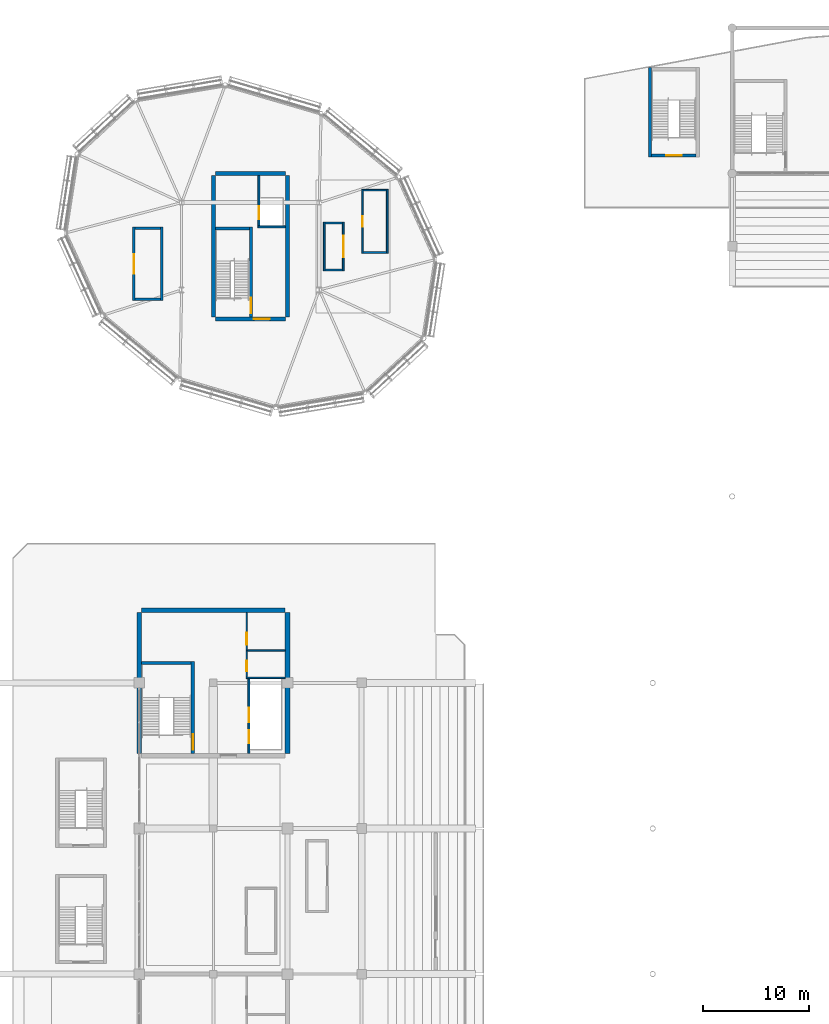
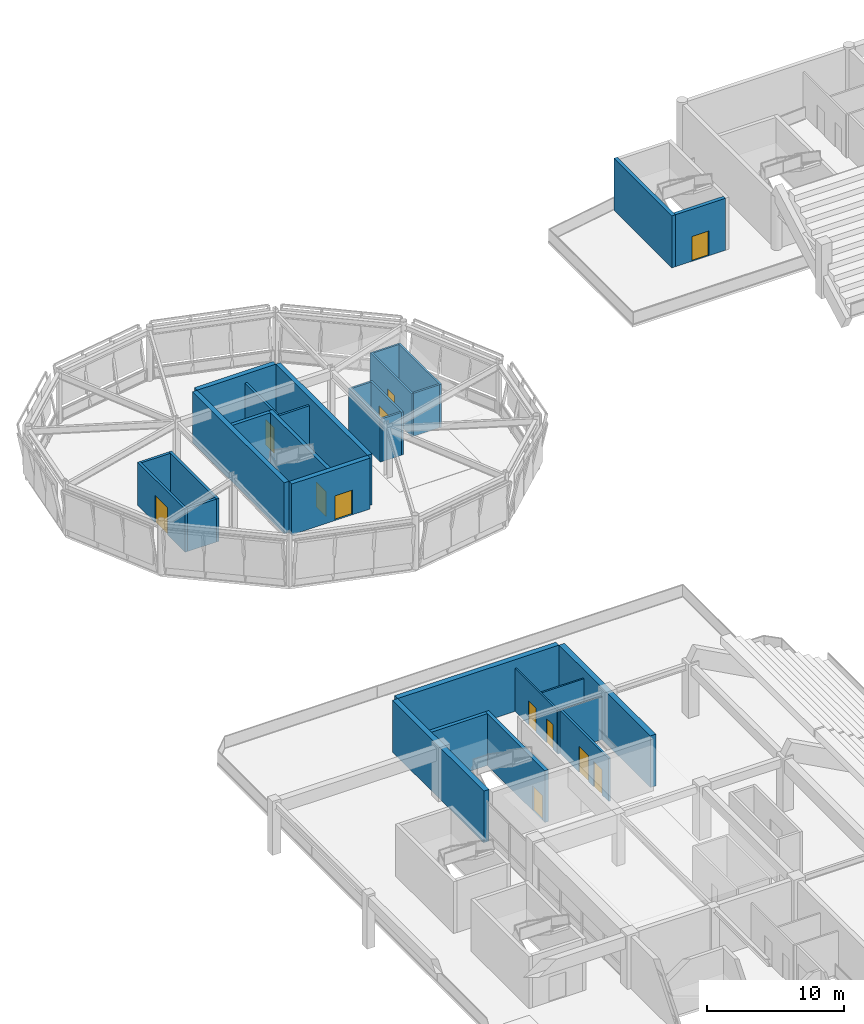
# One storey, part 75 of 94: 31 walls, 12 doors, 12 openings.
"""IFC4 building model written with IfcOpenShell, lengths in metres."""

from ifc_helpers import new_model, si_unit, direction, frame, frame_2d, origin, place, context, subcontext, project, spatial, rectangle, extrude, material, layer, layer_set, type_object, element, fill, save


model = new_model("IFC4")

# Units and contexts
model_context = context("Model", 3, precision=1e-05, world=origin(), true_north=direction((0.0, 1.0)))
body_context = subcontext(model_context, "Body", "Model", "MODEL_VIEW")
ifc_project = project(units=[si_unit("LENGTHUNIT", "METRE"), si_unit("AREAUNIT", "SQUARE_METRE"), si_unit("VOLUMEUNIT", "CUBIC_METRE"), si_unit("PLANEANGLEUNIT", "RADIAN"), si_unit("MASSUNIT", "GRAM", prefix="KILO")], contexts=[model_context])

# Site, building, storey
site_placement = place(None, origin())
site = spatial("IfcSite", under=ifc_project, at=site_placement, CompositionType="ELEMENT")
building_placement = place(site_placement, origin())
building = spatial("IfcBuilding", under=site, at=building_placement, Name="Linyun Crest Stadium", CompositionType="ELEMENT")
storey_placement = place(building_placement, frame((0.0, 0.0, 16.199951171875)))
storey = spatial("IfcBuildingStorey", under=building, at=storey_placement, Name="L04", CompositionType="ELEMENT", Elevation=16.199951171875)

# Walls
ifc_material_1 = material(Name="Concrete C50", Category="concrete")
ifc_layer_1 = layer(ifc_material_1, 0.39990234375)
ifc_layer_set_1 = layer_set([ifc_layer_1], Name="Concrete C50")
wall_type_1 = type_object("IfcWallType", Name="CW02", PredefinedType="SHEAR", material=ifc_layer_set_1)
for number, where, z_axis, x_axis, name in (
    (1, (-77.0, 77.949951171875, 0.0), (0.0, 0.0, 1.0), (0.0, 1.0, 0.0), "Core shear wall CW02 CORE-PNW L04.1"),
    (2, (-70.0, 77.949951171875, 0.0), (0.0, 0.0, 1.0), (0.0, 1.0, 0.0), "Core shear wall CW02 CORE-PNW L04.2"),
):
    element("IfcWall", number, at=place(storey_placement, frame(where, z_axis=z_axis, x_axis=x_axis)), inside=storey, type_object=wall_type_1, Name=name, PredefinedType="SHEAR", context=body_context, shape_type="SweptSolid", body=[
        extrude(rectangle(XDim=13.35009765625, YDim=0.39990234375, at=frame_2d((6.675048828125, 0.0))), origin(), (0.0, 0.0, 1.0), 4.52001953125),
    ])

# Wall, opening, door
wall_1_placement = place(storey_placement, frame((-76.800048828125, 77.75, 0.0), z_axis=(0.0, 0.0, 1.0), x_axis=(1.0, 0.0, 0.0)))
wall_1 = element("IfcWall", 3, at=wall_1_placement, inside=storey, type_object=wall_type_1, Name="Core shear wall CW02 CORE-PNW L04.3", PredefinedType="SHEAR", context=body_context, shape_type="SweptSolid", body=[
    extrude(rectangle(XDim=6.60009765625, YDim=0.39990234375, at=frame_2d((3.300048828125, 0.0))), origin(), (0.0, 0.0, 1.0), 4.52001953125),
])
opening_1_placement = place(wall_1_placement, frame((3.6298828125, 0.0, 0.0)))
opening_1 = element("IfcOpeningElement", 4, at=opening_1_placement, cuts=wall_1, Name="Opening D-L04-378", PredefinedType="OPENING", context=body_context, shape_type="SweptSolid", body=[
    extrude(rectangle(XDim=1.5, YDim=2.199951171875, at=frame_2d((0.75, 1.10009765625))), frame((0.0, 0.2099609375, 0.0), z_axis=(0.0, -1.0, 0.0), x_axis=(1.0, 0.0, 0.0)), (0.0, 0.0, 1.0), 0.419921875),
])
ifc_material_2 = material(Name="Galvanized steel Class A fire door", Category="steel")
ifc_layer_2 = layer(ifc_material_2, 0.054931640625)
ifc_layer_set_2 = layer_set([ifc_layer_2], Name="Galvanized steel Class A fire door")
door_type_1 = type_object("IfcDoorType", Name="FD01", OperationType="NOTDEFINED", PredefinedType="DOOR", material=ifc_layer_set_2)
door_1_placement = place(opening_1_placement, origin())
door_1 = element("IfcDoor", 5, at=door_1_placement, inside=storey, type_object=door_type_1, Name="Door D-L04-378", OperationType="SINGLE_SWING_RIGHT", OverallHeight=2.199951171875, OverallWidth=1.5, PredefinedType="DOOR", context=body_context, shape_type="SweptSolid", body=[
    extrude(rectangle(XDim=1.5, YDim=2.199951171875, at=frame_2d((0.75, 1.10009765625))), frame((0.0, 0.02490234375, 0.0), z_axis=(0.0, -1.0, 0.0), x_axis=(1.0, 0.0, 0.0)), (0.0, 0.0, 1.0), 0.050048828125),
])
fill(opening_1, door_1)

# Walls
wall_2_placement = place(storey_placement, frame((-76.800048828125, 91.5, 0.0), z_axis=(0.0, 0.0, 1.0), x_axis=(1.0, 0.0, 0.0)))
element("IfcWall", 6, at=wall_2_placement, inside=storey, type_object=wall_type_1, Name="Core shear wall CW02 CORE-PNW L04.4", PredefinedType="SHEAR", context=body_context, shape_type="SweptSolid", body=[
    extrude(rectangle(XDim=6.60009765625, YDim=0.39990234375, at=frame_2d((3.300048828125, 0.0))), origin(), (0.0, 0.0, 1.0), 4.52001953125),
])
ifc_material_3 = material(Name="Concrete C50", Category="concrete")
ifc_layer_3 = layer(ifc_material_3, 0.449951171875)
ifc_layer_set_3 = layer_set([ifc_layer_3], Name="Concrete C50")
wall_type_2 = type_object("IfcWallType", Name="CW03", PredefinedType="SHEAR", material=ifc_layer_set_3)
for number, where, z_axis, x_axis, name in (
    (7, (-84.0, 36.72509765625, 0.0), (0.0, 0.0, 1.0), (0.0, 1.0, 0.0), "Core shear wall CW03 CORE-W3 L04.1"),
    (8, (-70.0, 36.72509765625, 0.0), (0.0, 0.0, 1.0), (0.0, 1.0, 0.0), "Core shear wall CW03 CORE-W3 L04.2"),
):
    element("IfcWall", number, at=place(storey_placement, frame(where, z_axis=z_axis, x_axis=x_axis)), inside=storey, type_object=wall_type_2, Name=name, PredefinedType="SHEAR", context=body_context, shape_type="SweptSolid", body=[
        extrude(rectangle(XDim=13.2998046875, YDim=0.449951171875, at=frame_2d((6.64990234375, 0.0))), origin(), (0.0, 0.0, 1.0), 4.60009765625),
    ])
wall_3_placement = place(storey_placement, frame((-83.77490234375, 50.25, 0.0), z_axis=(0.0, 0.0, 1.0), x_axis=(1.0, 0.0, 0.0)))
element("IfcWall", 9, at=wall_3_placement, inside=storey, type_object=wall_type_2, Name="Core shear wall CW03 CORE-W3 L04.4", PredefinedType="SHEAR", context=body_context, shape_type="SweptSolid", body=[
    extrude(rectangle(XDim=13.5498046875, YDim=0.449951171875, at=frame_2d((6.77490234375, 0.0))), origin(), (0.0, 0.0, 1.0), 4.60009765625),
])

# Wall, openings, doors
ifc_material_4 = material(Name="Autoclaved aerated concrete block fire partition", Category="concrete")
ifc_layer_4 = layer(ifc_material_4, 0.179931640625)
ifc_layer_set_4 = layer_set([ifc_layer_4], Name="Autoclaved aerated concrete block fire partition")
wall_type_3 = type_object("IfcWallType", Name="PW12", PredefinedType="PARTITIONING", material=ifc_layer_set_4)
wall_4_placement = place(storey_placement, frame((-73.64990234375, 36.72509765625, 0.0), z_axis=(0.0, 0.0, 1.0), x_axis=(0.0, 1.0, 0.0)))
wall_4 = element("IfcWall", 10, at=wall_4_placement, inside=storey, type_object=wall_type_3, Name="Partition PW12 L04 51", PredefinedType="PARTITIONING", context=body_context, shape_type="SweptSolid", body=[
    extrude(rectangle(XDim=7.054931640625, YDim=0.179931640625, at=frame_2d((3.52734375, 0.0))), origin(), (0.0, 0.0, 1.0), 3.820068359375),
])
opening_2_placement = place(wall_4_placement, frame((0.97509765625, 0.0, 0.0)))
opening_2 = element("IfcOpeningElement", 11, at=opening_2_placement, cuts=wall_4, Name="Opening LD044", PredefinedType="OPENING", context=body_context, shape_type="SweptSolid", body=[
    extrude(rectangle(XDim=1.199951171875, YDim=2.25, at=frame_2d((0.60009765625, 1.125))), frame((0.0, 0.099853515625, 0.0), z_axis=(0.0, -1.0, 0.0), x_axis=(1.0, 0.0, 0.0)), (0.0, 0.0, 1.0), 0.199951171875),
])
opening_3_placement = place(wall_4_placement, frame((2.925048828125, 0.0, 0.0)))
opening_3 = element("IfcOpeningElement", 12, at=opening_3_placement, cuts=wall_4, Name="Opening LD045", PredefinedType="OPENING", context=body_context, shape_type="SweptSolid", body=[
    extrude(rectangle(XDim=1.39990234375, YDim=2.300048828125, at=frame_2d((0.699951171875, 1.14990234375))), frame((0.0, 0.099853515625, 0.0), z_axis=(0.0, -1.0, 0.0), x_axis=(1.0, 0.0, 0.0)), (0.0, 0.0, 1.0), 0.199951171875),
])
ifc_material_5 = material(Name="Brushed stainless sliding lift door")
ifc_layer_5 = layer(ifc_material_5, 0.050048828125)
ifc_layer_set_5 = layer_set([ifc_layer_5], Name="Brushed stainless sliding lift door")
door_type_2 = type_object("IfcDoorType", Name="LD02", OperationType="NOTDEFINED", PredefinedType="DOOR", material=ifc_layer_set_5)
door_2_placement = place(opening_2_placement, origin())
door_2 = element("IfcDoor", 13, at=door_2_placement, inside=storey, type_object=door_type_2, Name="Lift landing door LD044", OperationType="DOUBLE_DOOR_SLIDING", OverallHeight=2.25, OverallWidth=1.199951171875, PredefinedType="DOOR", context=body_context, shape_type="SweptSolid", body=[
    extrude(rectangle(XDim=1.199951171875, YDim=2.25, at=frame_2d((0.60009765625, 1.125))), frame((0.0, 0.02490234375, 0.0), z_axis=(0.0, -1.0, 0.0), x_axis=(1.0, 0.0, 0.0)), (0.0, 0.0, 1.0), 0.050048828125),
])
fill(opening_2, door_2)
ifc_material_6 = material(Name="Heavy-duty stainless sliding door")
ifc_layer_6 = layer(ifc_material_6, 0.054931640625)
ifc_layer_set_6 = layer_set([ifc_layer_6], Name="Heavy-duty stainless sliding door")
door_type_3 = type_object("IfcDoorType", Name="LD03", OperationType="NOTDEFINED", PredefinedType="DOOR", material=ifc_layer_set_6)
door_3_placement = place(opening_3_placement, origin())
door_3 = element("IfcDoor", 14, at=door_3_placement, inside=storey, type_object=door_type_3, Name="Lift landing door LD045", OperationType="DOUBLE_DOOR_SLIDING", OverallHeight=2.300048828125, OverallWidth=1.39990234375, PredefinedType="DOOR", context=body_context, shape_type="SweptSolid", body=[
    extrude(rectangle(XDim=1.39990234375, YDim=2.300048828125, at=frame_2d((0.699951171875, 1.14990234375))), frame((0.0, 0.02490234375, 0.0), z_axis=(0.0, -1.0, 0.0), x_axis=(1.0, 0.0, 0.0)), (0.0, 0.0, 1.0), 0.050048828125),
])
fill(opening_3, door_3)

# Wall, opening, door
wall_5_placement = place(storey_placement, frame((-72.699951171875, 86.550048828125, 0.0), z_axis=(0.0, 0.0, 1.0), x_axis=(0.0, 1.0, 0.0)))
wall_5 = element("IfcWall", 15, at=wall_5_placement, inside=storey, type_object=wall_type_3, Name="Partition PW12 L04 135", PredefinedType="PARTITIONING", context=body_context, shape_type="SweptSolid", body=[
    extrude(rectangle(XDim=4.75, YDim=0.179931640625, at=frame_2d((2.375, 0.0))), origin(), (0.0, 0.0, 1.0), 3.7451171875),
])
opening_4_placement = place(wall_5_placement, frame((0.64990234375, 0.0, 0.0)))
opening_4 = element("IfcOpeningElement", 16, at=opening_4_placement, cuts=wall_5, Name="Opening LD111", PredefinedType="OPENING", context=body_context, shape_type="SweptSolid", body=[
    extrude(rectangle(XDim=1.199951171875, YDim=2.25, at=frame_2d((0.60009765625, 1.125))), frame((0.0, 0.099853515625, 0.0), z_axis=(0.0, -1.0, 0.0), x_axis=(1.0, 0.0, 0.0)), (0.0, 0.0, 1.0), 0.199951171875),
])
door_4_placement = place(opening_4_placement, origin())
door_4 = element("IfcDoor", 17, at=door_4_placement, inside=storey, type_object=door_type_2, Name="Lift landing door LD111", OperationType="DOUBLE_DOOR_SLIDING", OverallHeight=2.25, OverallWidth=1.199951171875, PredefinedType="DOOR", context=body_context, shape_type="SweptSolid", body=[
    extrude(rectangle(XDim=1.199951171875, YDim=2.25, at=frame_2d((0.60009765625, 1.125))), frame((0.0, 0.02490234375, 0.0), z_axis=(0.0, -1.0, 0.0), x_axis=(1.0, 0.0, 0.0)), (0.0, 0.0, 1.0), 0.050048828125),
])
fill(opening_4, door_4)

# Wall
wall_6_placement = place(storey_placement, frame((-72.7900390625, 86.4599609375, 0.0), z_axis=(0.0, 0.0, 1.0), x_axis=(1.0, 0.0, 0.0)))
element("IfcWall", 18, at=wall_6_placement, inside=storey, type_object=wall_type_3, Name="Enclosure partition PW12 L04 127", PredefinedType="PARTITIONING", context=body_context, shape_type="SweptSolid", body=[
    extrude(rectangle(XDim=2.590087890625, YDim=0.179931640625, at=frame_2d((1.294921875, 0.0))), origin(), (0.0, 0.0, 1.0), 3.820068359375),
])

# Wall, opening, door
ifc_material_7 = material(Name="Double steel-stud acoustic fire partition", Category="steel")
ifc_layer_7 = layer(ifc_material_7, 0.1650390625)
ifc_layer_set_7 = layer_set([ifc_layer_7], Name="Double steel-stud acoustic fire partition")
wall_type_4 = type_object("IfcWallType", Name="PW13", PredefinedType="PARTITIONING", material=ifc_layer_set_7)
wall_7_placement = place(storey_placement, frame((-64.73291015625, 86.89990234375, 0.0), z_axis=(0.0, 0.0, 1.0), x_axis=(0.0, -1.0, 0.0)))
wall_7 = element("IfcWall", 19, at=wall_7_placement, inside=storey, type_object=wall_type_4, Name="Partition PW13 L04 225", PredefinedType="PARTITIONING", context=body_context, shape_type="SweptSolid", body=[
    extrude(rectangle(XDim=4.599853515625, YDim=0.1650390625, at=frame_2d((2.2998046875, 0.0))), origin(), (0.0, 0.0, 1.0), 3.820068359375),
])
opening_5_placement = place(wall_7_placement, frame((1.27490234375, 0.0, 0.0)))
opening_5 = element("IfcOpeningElement", 20, at=opening_5_placement, cuts=wall_7, Name="Opening D-L04-488", PredefinedType="OPENING", context=body_context, shape_type="SweptSolid", body=[
    extrude(rectangle(XDim=2.050048828125, YDim=2.39990234375, at=frame_2d((1.02490234375, 1.199951171875))), frame((0.0, 0.092529296875, 0.0), z_axis=(0.0, -1.0, 0.0), x_axis=(1.0, 0.0, 0.0)), (0.0, 0.0, 1.0), 0.18505859375),
])
ifc_material_8 = material(Name="Double-leaf glazed aluminium door", Category="aluminium")
ifc_layer_8 = layer(ifc_material_8, 0.054931640625)
ifc_layer_set_8 = layer_set([ifc_layer_8], Name="Double-leaf glazed aluminium door")
door_type_4 = type_object("IfcDoorType", Name="ID07", OperationType="NOTDEFINED", PredefinedType="DOOR", material=ifc_layer_set_8)
door_5_placement = place(opening_5_placement, origin())
door_5 = element("IfcDoor", 21, at=door_5_placement, inside=storey, type_object=door_type_4, Name="Door D-L04-488", OperationType="DOUBLE_DOOR_SINGLE_SWING", OverallHeight=2.39990234375, OverallWidth=2.050048828125, PredefinedType="DOOR", context=body_context, shape_type="SweptSolid", body=[
    extrude(rectangle(XDim=2.050048828125, YDim=2.39990234375, at=frame_2d((1.02490234375, 1.199951171875))), frame((0.0, 0.02490234375, 0.0), z_axis=(0.0, -1.0, 0.0), x_axis=(1.0, 0.0, 0.0)), (0.0, 0.0, 1.0), 0.050048828125),
])
fill(opening_5, door_5)

# Walls
wall_8_placement = place(storey_placement, frame((-66.532958984375, 82.300048828125, 0.0), z_axis=(0.0, 0.0, 1.0), x_axis=(0.0, 1.0, 0.0)))
element("IfcWall", 22, at=wall_8_placement, inside=storey, type_object=wall_type_4, Name="Enclosure partition PW13 L04 391", PredefinedType="PARTITIONING", context=body_context, shape_type="SweptSolid", body=[
    extrude(rectangle(XDim=4.599853515625, YDim=0.1650390625, at=frame_2d((2.2998046875, 0.0))), origin(), (0.0, 0.0, 1.0), 3.820068359375),
])
for number, where, z_axis, x_axis, name in (
    (23, (-66.449951171875, 82.383056640625, 0.0), (0.0, 0.0, 1.0), (1.0, 0.0, 0.0), "Enclosure partition PW13 L04 392"),
    (24, (-66.449951171875, 86.81689453125, 0.0), (0.0, 0.0, 1.0), (1.0, 0.0, 0.0), "Enclosure partition PW13 L04 393"),
):
    element("IfcWall", number, at=place(storey_placement, frame(where, z_axis=z_axis, x_axis=x_axis)), inside=storey, type_object=wall_type_4, Name=name, PredefinedType="PARTITIONING", context=body_context, shape_type="SweptSolid", body=[
        extrude(rectangle(XDim=1.634033203125, YDim=0.1650390625, at=frame_2d((0.81689453125, 0.0))), origin(), (0.0, 0.0, 1.0), 3.820068359375),
    ])

# Wall, openings, doors
ifc_material_9 = material(Name="Moisture-resistant ceramic-tiled wet-room wall")
ifc_layer_9 = layer(ifc_material_9, 0.139892578125)
ifc_layer_set_9 = layer_set([ifc_layer_9], Name="Moisture-resistant ceramic-tiled wet-room wall")
wall_type_5 = type_object("IfcWallType", Name="PW15", PredefinedType="PARTITIONING", material=ifc_layer_set_9)
wall_9_placement = place(storey_placement, frame((-73.85009765625, 43.919921875, 0.0), z_axis=(0.0, 0.0, 1.0), x_axis=(0.0, 1.0, 0.0)))
wall_9 = element("IfcWall", 25, at=wall_9_placement, inside=storey, type_object=wall_type_5, Name="Partition PW15 L04 52", PredefinedType="PARTITIONING", context=body_context, shape_type="SweptSolid", body=[
    extrude(rectangle(XDim=6.10498046875, YDim=0.139892578125, at=frame_2d((3.052490234375, 0.0))), origin(), (0.0, 0.0, 1.0), 3.820068359375),
])
opening_6_placement = place(wall_9_placement, frame((0.580078125, 0.0, 0.0)))
opening_6 = element("IfcOpeningElement", 26, at=opening_6_placement, cuts=wall_9, Name="Opening D-L04-134", PredefinedType="OPENING", context=body_context, shape_type="SweptSolid", body=[
    extrude(rectangle(XDim=0.949951171875, YDim=2.14990234375, at=frame_2d((0.47509765625, 1.074951171875))), frame((0.0, 0.079833984375, 0.0), z_axis=(0.0, -1.0, 0.0), x_axis=(1.0, 0.0, 0.0)), (0.0, 0.0, 1.0), 0.159912109375),
])
opening_7_placement = place(wall_9_placement, frame((3.080078125, 0.0, 0.0)))
opening_7 = element("IfcOpeningElement", 27, at=opening_7_placement, cuts=wall_9, Name="Opening D-L04-135", PredefinedType="OPENING", context=body_context, shape_type="SweptSolid", body=[
    extrude(rectangle(XDim=1.10009765625, YDim=2.14990234375, at=frame_2d((0.550048828125, 1.074951171875))), frame((0.0, 0.079833984375, 0.0), z_axis=(0.0, -1.0, 0.0), x_axis=(1.0, 0.0, 0.0)), (0.0, 0.0, 1.0), 0.159912109375),
])
ifc_material_10 = material(Name="Moisture-resistant laminate leaf")
ifc_layer_10 = layer(ifc_material_10, 0.044921875)
ifc_layer_set_10 = layer_set([ifc_layer_10], Name="Moisture-resistant laminate leaf")
door_type_5 = type_object("IfcDoorType", Name="ID02", OperationType="NOTDEFINED", PredefinedType="DOOR", material=ifc_layer_set_10)
door_6_placement = place(opening_6_placement, origin())
door_6 = element("IfcDoor", 28, at=door_6_placement, inside=storey, type_object=door_type_5, Name="Door D-L04-134", OperationType="SINGLE_SWING_RIGHT", OverallHeight=2.14990234375, OverallWidth=0.949951171875, PredefinedType="DOOR", context=body_context, shape_type="SweptSolid", body=[
    extrude(rectangle(XDim=0.949951171875, YDim=2.14990234375, at=frame_2d((0.47509765625, 1.074951171875))), frame((0.0, 0.02490234375, 0.0), z_axis=(0.0, -1.0, 0.0), x_axis=(1.0, 0.0, 0.0)), (0.0, 0.0, 1.0), 0.050048828125),
])
fill(opening_6, door_6)
ifc_material_11 = material(Name="Moisture-resistant laminate leaf")
ifc_layer_11 = layer(ifc_material_11, 0.044921875)
ifc_layer_set_11 = layer_set([ifc_layer_11], Name="Moisture-resistant laminate leaf")
door_type_6 = type_object("IfcDoorType", Name="ID03", OperationType="NOTDEFINED", PredefinedType="DOOR", material=ifc_layer_set_11)
door_7_placement = place(opening_7_placement, origin())
door_7 = element("IfcDoor", 29, at=door_7_placement, inside=storey, type_object=door_type_6, Name="Door D-L04-135", OperationType="SINGLE_SWING_LEFT", OverallHeight=2.14990234375, OverallWidth=1.10009765625, PredefinedType="DOOR", context=body_context, shape_type="SweptSolid", body=[
    extrude(rectangle(XDim=1.10009765625, YDim=2.14990234375, at=frame_2d((0.550048828125, 1.074951171875))), frame((0.0, 0.02490234375, 0.0), z_axis=(0.0, -1.0, 0.0), x_axis=(1.0, 0.0, 0.0)), (0.0, 0.0, 1.0), 0.050048828125),
])
fill(opening_7, door_7)

# Walls
wall_10_placement = place(storey_placement, frame((-73.919921875, 43.85009765625, 0.0), z_axis=(0.0, 0.0, 1.0), x_axis=(1.0, 0.0, 0.0)))
element("IfcWall", 30, at=wall_10_placement, inside=storey, type_object=wall_type_5, Name="Enclosure partition PW15 L04 37", PredefinedType="PARTITIONING", context=body_context, shape_type="SweptSolid", body=[
    extrude(rectangle(XDim=3.69482421875, YDim=0.139892578125, at=frame_2d((1.847412109375, 0.0))), origin(), (0.0, 0.0, 1.0), 3.820068359375),
])
wall_11_placement = place(storey_placement, frame((-73.780029296875, 46.449951171875, 0.0), z_axis=(0.0, 0.0, 1.0), x_axis=(1.0, 0.0, 0.0)))
element("IfcWall", 31, at=wall_11_placement, inside=storey, type_object=wall_type_5, Name="Enclosure partition PW15 L04 38", PredefinedType="PARTITIONING", context=body_context, shape_type="SweptSolid", body=[
    extrude(rectangle(XDim=3.554931640625, YDim=0.139892578125, at=frame_2d((1.77734375, 0.0))), origin(), (0.0, 0.0, 1.0), 3.820068359375),
])

# Wall, opening, door
ifc_material_12 = material(Name="Medical and doping-control hygienic partition")
ifc_layer_12 = layer(ifc_material_12, 0.155029296875)
ifc_layer_set_12 = layer_set([ifc_layer_12], Name="Medical and doping-control hygienic partition")
wall_type_6 = type_object("IfcWallType", Name="PW23", PredefinedType="PARTITIONING", material=ifc_layer_set_12)
wall_12_placement = place(storey_placement, frame((-62.93310546875, 83.955078125, 0.0), z_axis=(0.0, 0.0, 1.0), x_axis=(0.0, 1.0, 0.0)))
wall_12 = element("IfcWall", 32, at=wall_12_placement, inside=storey, type_object=wall_type_6, Name="Partition PW23 L04 222", PredefinedType="PARTITIONING", context=body_context, shape_type="SweptSolid", body=[
    extrude(rectangle(XDim=6.0498046875, YDim=0.155029296875, at=frame_2d((3.02490234375, 0.0))), origin(), (0.0, 0.0, 1.0), 3.820068359375),
])
opening_8_placement = place(wall_12_placement, frame((2.52490234375, 0.0, 0.0)))
opening_8 = element("IfcOpeningElement", 33, at=opening_8_placement, cuts=wall_12, Name="Opening D-L04-485", PredefinedType="OPENING", context=body_context, shape_type="SweptSolid", body=[
    extrude(rectangle(XDim=1.0, YDim=2.14990234375, at=frame_2d((0.5, 1.074951171875))), frame((0.0, 0.08740234375, 0.0), z_axis=(0.0, -1.0, 0.0), x_axis=(1.0, 0.0, 0.0)), (0.0, 0.0, 1.0), 0.175048828125),
])
ifc_material_13 = material(Name="Hardwood veneer acoustic leaf", Category="wood")
ifc_layer_13 = layer(ifc_material_13, 0.044921875)
ifc_layer_set_13 = layer_set([ifc_layer_13], Name="Hardwood veneer acoustic leaf")
door_type_7 = type_object("IfcDoorType", Name="ID01", OperationType="NOTDEFINED", PredefinedType="DOOR", material=ifc_layer_set_13)
door_8_placement = place(opening_8_placement, origin())
door_8 = element("IfcDoor", 34, at=door_8_placement, inside=storey, type_object=door_type_7, Name="Door D-L04-485", OperationType="SINGLE_SWING_LEFT", OverallHeight=2.14990234375, OverallWidth=1.0, PredefinedType="DOOR", context=body_context, shape_type="SweptSolid", body=[
    extrude(rectangle(XDim=1.0, YDim=2.14990234375, at=frame_2d((0.5, 1.074951171875))), frame((0.0, 0.02490234375, 0.0), z_axis=(0.0, -1.0, 0.0), x_axis=(1.0, 0.0, 0.0)), (0.0, 0.0, 1.0), 0.050048828125),
])
fill(opening_8, door_8)

# Walls
wall_13_placement = place(storey_placement, frame((-60.5830078125, 83.955078125, 0.0), z_axis=(0.0, 0.0, 1.0), x_axis=(0.0, 1.0, 0.0)))
element("IfcWall", 35, at=wall_13_placement, inside=storey, type_object=wall_type_6, Name="Enclosure partition PW23 L04 382", PredefinedType="PARTITIONING", context=body_context, shape_type="SweptSolid", body=[
    extrude(rectangle(XDim=6.0498046875, YDim=0.155029296875, at=frame_2d((3.02490234375, 0.0))), origin(), (0.0, 0.0, 1.0), 3.820068359375),
])
for number, where, z_axis, x_axis, name in (
    (36, (-62.85498046875, 84.032958984375, 0.0), (0.0, 0.0, 1.0), (1.0, 0.0, 0.0), "Enclosure partition PW23 L04 383"),
    (37, (-62.85498046875, 89.927001953125, 0.0), (0.0, 0.0, 1.0), (1.0, 0.0, 0.0), "Enclosure partition PW23 L04 384"),
):
    element("IfcWall", number, at=place(storey_placement, frame(where, z_axis=z_axis, x_axis=x_axis)), inside=storey, type_object=wall_type_6, Name=name, PredefinedType="PARTITIONING", context=body_context, shape_type="SweptSolid", body=[
        extrude(rectangle(XDim=2.194091796875, YDim=0.155029296875, at=frame_2d((1.09716796875, 0.0))), origin(), (0.0, 0.0, 1.0), 3.820068359375),
    ])

# Wall, opening, door
ifc_material_14 = material(Name="Kitchen hood and service riser enclosure wall")
ifc_layer_14 = layer(ifc_material_14, 0.2099609375)
ifc_layer_set_14 = layer_set([ifc_layer_14], Name="Kitchen hood and service riser enclosure wall")
wall_type_7 = type_object("IfcWallType", Name="PW26", PredefinedType="PARTITIONING", material=ifc_layer_set_14)
wall_14_placement = place(storey_placement, frame((-84.52001953125, 79.509033203125, 0.0), z_axis=(0.0, 0.0, 1.0), x_axis=(0.0, 1.0, 0.0)))
wall_14 = element("IfcWall", 38, at=wall_14_placement, inside=storey, type_object=wall_type_7, Name="Partition PW26 L04 224", PredefinedType="PARTITIONING", context=body_context, shape_type="SweptSolid", body=[
    extrude(rectangle(XDim=6.919921875, YDim=0.2099609375, at=frame_2d((3.4599609375, 0.0))), origin(), (0.0, 0.0, 1.0), 3.820068359375),
])
opening_9_placement = place(wall_14_placement, frame((2.534912109375, 0.0, 0.0)))
opening_9 = element("IfcOpeningElement", 39, at=opening_9_placement, cuts=wall_14, Name="Opening D-L04-487", PredefinedType="OPENING", context=body_context, shape_type="SweptSolid", body=[
    extrude(rectangle(XDim=1.85009765625, YDim=2.39990234375, at=frame_2d((0.925048828125, 1.199951171875))), frame((0.0, 0.114990234375, 0.0), z_axis=(0.0, -1.0, 0.0), x_axis=(1.0, 0.0, 0.0)), (0.0, 0.0, 1.0), 0.22998046875),
])
ifc_material_15 = material(Name="Double glazed timber-and-brass door", Category="wood")
ifc_layer_15 = layer(ifc_material_15, 0.054931640625)
ifc_layer_set_15 = layer_set([ifc_layer_15], Name="Double glazed timber-and-brass door")
door_type_8 = type_object("IfcDoorType", Name="ID06", OperationType="NOTDEFINED", PredefinedType="DOOR", material=ifc_layer_set_15)
door_9_placement = place(opening_9_placement, origin())
door_9 = element("IfcDoor", 40, at=door_9_placement, inside=storey, type_object=door_type_8, Name="Door D-L04-487", OperationType="DOUBLE_DOOR_SINGLE_SWING", OverallHeight=2.39990234375, OverallWidth=1.85009765625, PredefinedType="DOOR", context=body_context, shape_type="SweptSolid", body=[
    extrude(rectangle(XDim=1.85009765625, YDim=2.39990234375, at=frame_2d((0.925048828125, 1.199951171875))), frame((0.0, 0.02490234375, 0.0), z_axis=(0.0, -1.0, 0.0), x_axis=(1.0, 0.0, 0.0)), (0.0, 0.0, 1.0), 0.050048828125),
])
fill(opening_9, door_9)

# Walls
wall_15_placement = place(storey_placement, frame((-81.8798828125, 79.509033203125, 0.0), z_axis=(0.0, 0.0, 1.0), x_axis=(0.0, 1.0, 0.0)))
element("IfcWall", 41, at=wall_15_placement, inside=storey, type_object=wall_type_7, Name="Enclosure partition PW26 L04 388", PredefinedType="PARTITIONING", context=body_context, shape_type="SweptSolid", body=[
    extrude(rectangle(XDim=6.919921875, YDim=0.2099609375, at=frame_2d((3.4599609375, 0.0))), origin(), (0.0, 0.0, 1.0), 3.820068359375),
])
for number, where, z_axis, x_axis, name in (
    (42, (-84.4150390625, 79.614013671875, 0.0), (0.0, 0.0, 1.0), (1.0, 0.0, 0.0), "Enclosure partition PW26 L04 389"),
    (43, (-84.4150390625, 86.323974609375, 0.0), (0.0, 0.0, 1.0), (1.0, 0.0, 0.0), "Enclosure partition PW26 L04 390"),
):
    element("IfcWall", number, at=place(storey_placement, frame(where, z_axis=z_axis, x_axis=x_axis)), inside=storey, type_object=wall_type_7, Name=name, PredefinedType="PARTITIONING", context=body_context, shape_type="SweptSolid", body=[
        extrude(rectangle(XDim=2.429931640625, YDim=0.2099609375, at=frame_2d((1.21484375, 0.0))), origin(), (0.0, 0.0, 1.0), 3.820068359375),
    ])

# Wall, opening, door
ifc_material_16 = material(Name="Concrete C50", Category="concrete")
ifc_layer_16 = layer(ifc_material_16, 0.300048828125)
ifc_layer_set_16 = layer_set([ifc_layer_16], Name="Concrete C50")
wall_type_8 = type_object("IfcWallType", Name="SW01", PredefinedType="SHEAR", material=ifc_layer_set_16)
wall_16_placement = place(storey_placement, frame((-78.949951171875, 36.72509765625, 0.0), z_axis=(0.0, 0.0, 1.0), x_axis=(0.0, 1.0, 0.0)))
wall_16 = element("IfcWall", 44, at=wall_16_placement, inside=storey, type_object=wall_type_8, Name="Core stair east bearing wall SW01 3 L04", PredefinedType="SHEAR", context=body_context, shape_type="SweptSolid", body=[
    extrude(rectangle(XDim=8.6748046875, YDim=0.300048828125, at=frame_2d((4.33740234375, 0.0))), origin(), (0.0, 0.0, 1.0), 4.60009765625),
])
opening_10_placement = place(wall_16_placement, frame((0.344970703125, 0.0, 0.0)))
opening_10 = element("IfcOpeningElement", 45, at=opening_10_placement, cuts=wall_16, Name="Opening D-L04-131", PredefinedType="OPENING", context=body_context, shape_type="SweptSolid", body=[
    extrude(rectangle(XDim=1.449951171875, YDim=2.199951171875, at=frame_2d((0.72509765625, 1.10009765625))), frame((0.0, 0.159912109375, 0.0), z_axis=(0.0, -1.0, 0.0), x_axis=(1.0, 0.0, 0.0)), (0.0, 0.0, 1.0), 0.320068359375),
])
ifc_material_17 = material(Name="Galvanized steel Class A fire door", Category="steel")
ifc_layer_17 = layer(ifc_material_17, 0.054931640625)
ifc_layer_set_17 = layer_set([ifc_layer_17], Name="Galvanized steel Class A fire door")
door_type_9 = type_object("IfcDoorType", Name="FD02", OperationType="NOTDEFINED", PredefinedType="DOOR", material=ifc_layer_set_17)
door_10_placement = place(opening_10_placement, origin())
door_10 = element("IfcDoor", 46, at=door_10_placement, inside=storey, type_object=door_type_9, Name="Door D-L04-131", OperationType="SINGLE_SWING_LEFT", OverallHeight=2.199951171875, OverallWidth=1.449951171875, PredefinedType="DOOR", context=body_context, shape_type="SweptSolid", body=[
    extrude(rectangle(XDim=1.449951171875, YDim=2.199951171875, at=frame_2d((0.72509765625, 1.10009765625))), frame((0.0, 0.02490234375, 0.0), z_axis=(0.0, -1.0, 0.0), x_axis=(1.0, 0.0, 0.0)), (0.0, 0.0, 1.0), 0.050048828125),
])
fill(opening_10, door_10)

wall_17_placement = place(storey_placement, frame((-73.449951171875, 77.949951171875, 0.0), z_axis=(0.0, 0.0, 1.0), x_axis=(0.0, 1.0, 0.0)))
wall_17 = element("IfcWall", 47, at=wall_17_placement, inside=storey, type_object=wall_type_8, Name="Core stair east bearing wall SW01 11 L04", PredefinedType="SHEAR", context=body_context, shape_type="SweptSolid", body=[
    extrude(rectangle(XDim=8.5, YDim=0.300048828125, at=frame_2d((4.25, 0.0))), origin(), (0.0, 0.0, 1.0), 4.52001953125),
])
opening_11_placement = place(wall_17_placement, frame((0.3701171875, 0.0, 0.0)))
opening_11 = element("IfcOpeningElement", 48, at=opening_11_placement, cuts=wall_17, Name="Opening D-L04-379", PredefinedType="OPENING", context=body_context, shape_type="SweptSolid", body=[
    extrude(rectangle(XDim=1.449951171875, YDim=2.199951171875, at=frame_2d((0.72509765625, 1.10009765625))), frame((0.0, 0.159912109375, 0.0), z_axis=(0.0, -1.0, 0.0), x_axis=(1.0, 0.0, 0.0)), (0.0, 0.0, 1.0), 0.320068359375),
])
door_11_placement = place(opening_11_placement, origin())
door_11 = element("IfcDoor", 49, at=door_11_placement, inside=storey, type_object=door_type_9, Name="Door D-L04-379", OperationType="SINGLE_SWING_LEFT", OverallHeight=2.199951171875, OverallWidth=1.449951171875, PredefinedType="DOOR", context=body_context, shape_type="SweptSolid", body=[
    extrude(rectangle(XDim=1.449951171875, YDim=2.199951171875, at=frame_2d((0.72509765625, 1.10009765625))), frame((0.0, 0.02490234375, 0.0), z_axis=(0.0, -1.0, 0.0), x_axis=(1.0, 0.0, 0.0)), (0.0, 0.0, 1.0), 0.050048828125),
])
fill(opening_11, door_11)

# Walls
wall_18_placement = place(storey_placement, frame((-83.77490234375, 45.25, 0.0), z_axis=(0.0, 0.0, 1.0), x_axis=(1.0, 0.0, 0.0)))
element("IfcWall", 50, at=wall_18_placement, inside=storey, type_object=wall_type_8, Name="Core stair bearing wall SW01 3 L04", PredefinedType="SHEAR", context=body_context, shape_type="SweptSolid", body=[
    extrude(rectangle(XDim=4.6748046875, YDim=0.300048828125, at=frame_2d((2.33740234375, 0.0))), origin(), (0.0, 0.0, 1.0), 4.60009765625),
])
wall_19_placement = place(storey_placement, frame((-76.800048828125, 86.300048828125, 0.0), z_axis=(0.0, 0.0, 1.0), x_axis=(1.0, 0.0, 0.0)))
element("IfcWall", 51, at=wall_19_placement, inside=storey, type_object=wall_type_8, Name="Core stair bearing wall SW01 11 L04", PredefinedType="SHEAR", context=body_context, shape_type="SweptSolid", body=[
    extrude(rectangle(XDim=3.199951171875, YDim=0.300048828125, at=frame_2d((1.60009765625, 0.0))), origin(), (0.0, 0.0, 1.0), 4.52001953125),
])

# Wall, opening, door
wall_20_placement = place(storey_placement, frame((-35.60009765625, 93.199951171875, 0.0), z_axis=(0.0, 0.0, 1.0), x_axis=(1.0, 0.0, 0.0)))
wall_20 = element("IfcWall", 52, at=wall_20_placement, inside=storey, type_object=wall_type_8, Name="Stair shaft wall SW01 STR-23 L04 S", PredefinedType="SHEAR", context=body_context, shape_type="SweptSolid", body=[
    extrude(rectangle(XDim=4.2001953125, YDim=0.300048828125, at=frame_2d((2.10009765625, 0.0))), origin(), (0.0, 0.0, 1.0), 4.6201171875),
])
opening_12_placement = place(wall_20_placement, frame((1.375, 0.0, 0.0)))
opening_12 = element("IfcOpeningElement", 53, at=opening_12_placement, cuts=wall_20, Name="Opening D-L04-598", PredefinedType="OPENING", context=body_context, shape_type="SweptSolid", body=[
    extrude(rectangle(XDim=1.449951171875, YDim=2.199951171875, at=frame_2d((0.72509765625, 1.10009765625))), frame((0.0, 0.159912109375, 0.0), z_axis=(0.0, -1.0, 0.0), x_axis=(1.0, 0.0, 0.0)), (0.0, 0.0, 1.0), 0.320068359375),
])
door_12_placement = place(opening_12_placement, origin())
door_12 = element("IfcDoor", 54, at=door_12_placement, inside=storey, type_object=door_type_9, Name="Door D-L04-598", OperationType="SINGLE_SWING_RIGHT", OverallHeight=2.199951171875, OverallWidth=1.449951171875, PredefinedType="DOOR", context=body_context, shape_type="SweptSolid", body=[
    extrude(rectangle(XDim=1.449951171875, YDim=2.199951171875, at=frame_2d((0.72509765625, 1.10009765625))), frame((0.0, 0.02490234375, 0.0), z_axis=(0.0, -1.0, 0.0), x_axis=(1.0, 0.0, 0.0)), (0.0, 0.0, 1.0), 0.050048828125),
])
fill(opening_12, door_12)

# Wall
wall_21_placement = place(storey_placement, frame((-35.75, 93.050048828125, 0.0), z_axis=(0.0, 0.0, 1.0), x_axis=(0.0, 1.0, 0.0)))
element("IfcWall", 55, at=wall_21_placement, inside=storey, type_object=wall_type_8, Name="Stair shaft wall SW01 STR-23 L04 W", PredefinedType="SHEAR", context=body_context, shape_type="SweptSolid", body=[
    extrude(rectangle(XDim=8.449951171875, YDim=0.300048828125, at=frame_2d((4.22509765625, 0.0))), origin(), (0.0, 0.0, 1.0), 4.6201171875),
])

save(model, "model.ifc")
